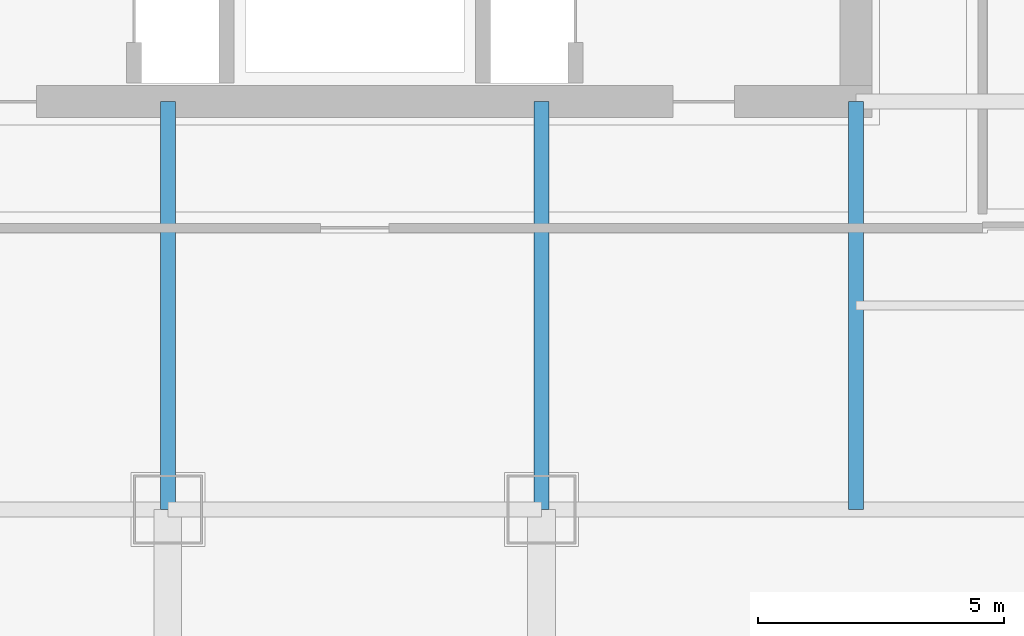
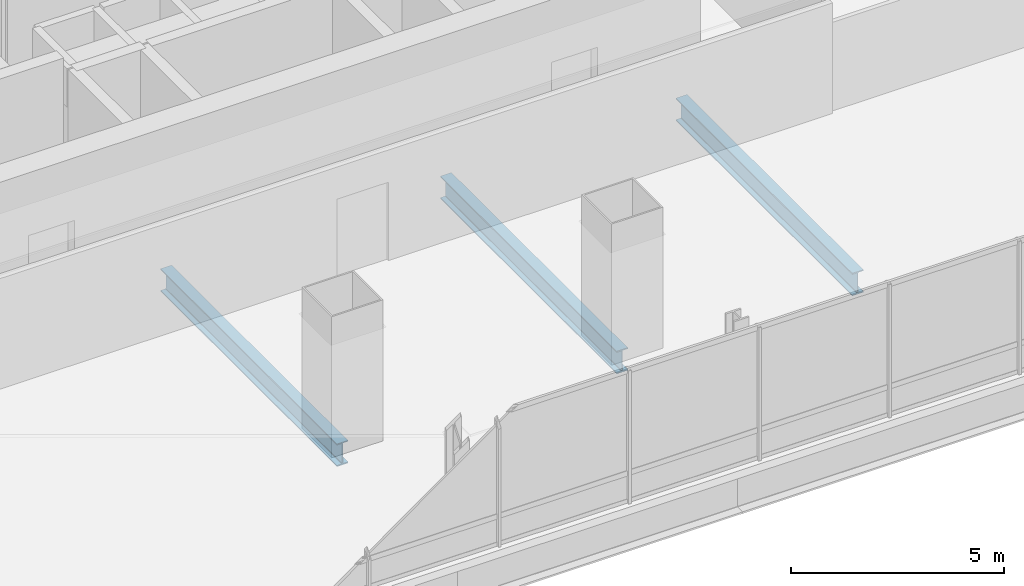
# One storey, part 8 of 36: 3 beams.
"""IFC4 building model written with IfcOpenShell, lengths in metres."""

from ifc_helpers import new_model, si_unit, direction, frame, origin, origin_2d, place, context, subcontext, project, spatial, i_section, extrude, material, material_profile, profile_set, type_object, element, save


model = new_model("IFC4")

# Units and contexts
model_context = context("Model", 3, precision=1e-05, world=origin(), true_north=direction((0.0, 1.0)))
body_context = subcontext(model_context, "Body", "Model", "MODEL_VIEW")
ifc_project = project(units=[si_unit("LENGTHUNIT", "METRE"), si_unit("AREAUNIT", "SQUARE_METRE"), si_unit("VOLUMEUNIT", "CUBIC_METRE"), si_unit("PLANEANGLEUNIT", "RADIAN"), si_unit("MASSUNIT", "GRAM", prefix="KILO")], contexts=[model_context])

# Site, building, storey
site_placement = place(None, origin())
site = spatial("IfcSite", under=ifc_project, at=site_placement, CompositionType="ELEMENT")
building_placement = place(site_placement, origin())
building = spatial("IfcBuilding", under=site, at=building_placement, Name="Punatoya Terracotta Tower", CompositionType="ELEMENT")
storey_placement = place(building_placement, frame((0.0, 0.0, 212.699951171875)))
storey = spatial("IfcBuildingStorey", under=building, at=storey_placement, Name="L50", CompositionType="ELEMENT", Elevation=212.699951171875)

# Beams
ifc_material = material(Name="Steel S355", Category="steel")
ifc_material_profile = material_profile(ifc_material, i_section(OverallWidth=0.300048828125, OverallDepth=0.64990234375, WebThickness=0.01611328125, FlangeThickness=0.031005859375, FilletRadius=0.01806640625, at=origin_2d()))
ifc_profile_set = profile_set([ifc_material_profile], Name="Steel S355")
beam_type = type_object("IfcBeamType", Name="BM-PRI-650", PredefinedType="BEAM", material=ifc_profile_set)
for number, where, z_axis, x_axis, name in (
    (1, (-3.800048828125, -17.5, -0.544921875), (0.0, 1.0, 0.0), (-1.0, 0.0, 0.0), "BM-L50-PR-S2"),
    (2, (3.800048828125, -17.5, -0.544921875), (0.0, 1.0, 0.0), (-1.0, 0.0, 0.0), "BM-L50-PR-S3"),
    (3, (10.199951171875, -17.5, -0.544921875), (0.0, 1.0, 0.0), (-1.0, 0.0, 0.0), "BM-L50-PR-S4"),
):
    element("IfcBeam", number, at=place(storey_placement, frame(where, z_axis=z_axis, x_axis=x_axis)), inside=storey, type_object=beam_type, Name=name, PredefinedType="BEAM", context=body_context, shape_type="SweptSolid", body=[
        extrude(i_section(OverallWidth=0.300048828125, OverallDepth=0.64990234375, WebThickness=0.01611328125, FlangeThickness=0.031005859375, FilletRadius=0.01806640625, at=origin_2d()), origin(), (0.0, 0.0, 1.0), 8.300048828125),
    ])

save(model, "model.ifc")
